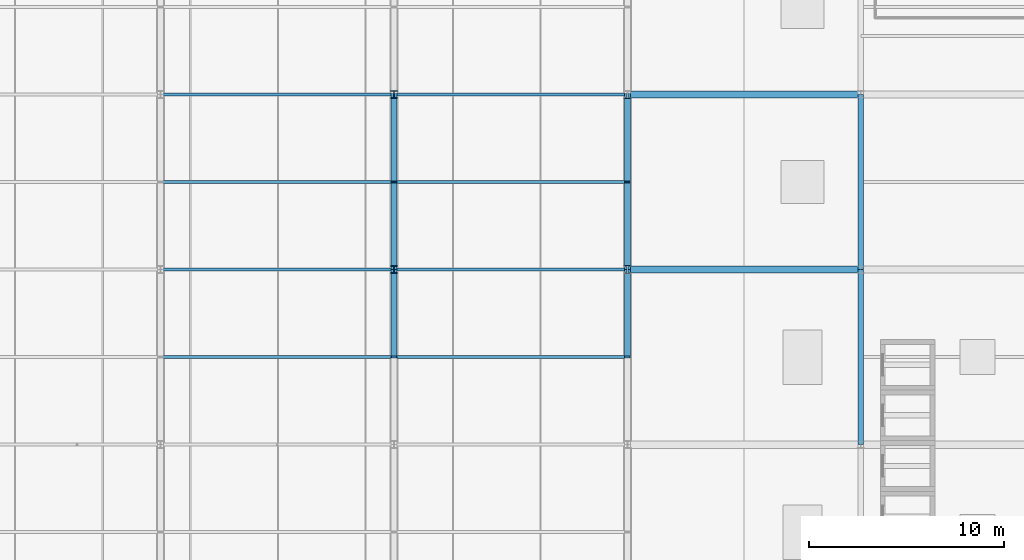
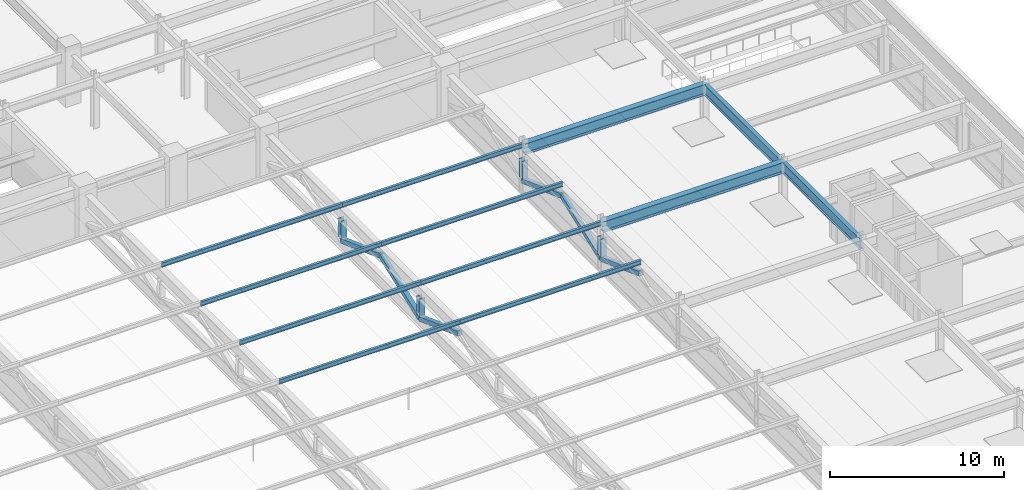
# One storey, part 41 of 108: 18 members, 4 beams.
"""IFC4 building model written with IfcOpenShell, lengths in metres."""

from ifc_helpers import new_model, si_unit, direction, frame, origin, origin_2d, place, context, subcontext, project, spatial, hollow_rectangle, i_section, extrude, material, material_profile, profile_set, type_object, element, save


model = new_model("IFC4")

# Units and contexts
model_context = context("Model", 3, precision=1e-05, world=origin(), true_north=direction((0.0, 1.0)))
body_context = subcontext(model_context, "Body", "Model", "MODEL_VIEW")
ifc_project = project(units=[si_unit("LENGTHUNIT", "METRE"), si_unit("AREAUNIT", "SQUARE_METRE"), si_unit("VOLUMEUNIT", "CUBIC_METRE"), si_unit("PLANEANGLEUNIT", "RADIAN"), si_unit("MASSUNIT", "GRAM", prefix="KILO")], contexts=[model_context])

# Site, building, storey
site_placement = place(None, origin())
site = spatial("IfcSite", under=ifc_project, at=site_placement, CompositionType="ELEMENT")
building_placement = place(site_placement, origin())
building = spatial("IfcBuilding", under=site, at=building_placement, Name="Kaldorvane Square Convention Centre", CompositionType="ELEMENT")
storey_placement = place(building_placement, frame((0.0, 0.0, 23.399993896484375)))
storey = spatial("IfcBuildingStorey", under=building, at=storey_placement, Name="L04", CompositionType="ELEMENT", Elevation=23.399993896484375)

# Beams
ifc_material_1 = material(Name="Steel ASTM A992 Gr. 50", Category="steel")
ifc_material_profile_1 = material_profile(ifc_material_1, i_section(OverallWidth=0.2666015625, OverallDepth=0.762298583984375, WebThickness=0.014404296875, FlangeThickness=0.0216064453125, FilletRadius=0.0164947509765625, at=origin_2d()), Name="W30X116")
ifc_profile_set_1 = profile_set([ifc_material_profile_1], Name="Steel ASTM A992 Gr. 50")
beam_type_1 = type_object("IfcBeamType", Name="BM-GR-W30X116", PredefinedType="BEAM", material=ifc_profile_set_1)
for number, where, z_axis, x_axis, name in (
    (1, (126.0, 45.0, 3.144805908203125), (0.0, 1.0, 0.0), (-1.0, 0.0, 0.0), "Transverse Girder (L04)"),
    (2, (126.0, 54.0, 3.144805908203125), (0.0, 1.0, 0.0), (-1.0, 0.0, 0.0), "Transverse Girder (L04)"),
):
    element("IfcBeam", number, at=place(storey_placement, frame(where, z_axis=z_axis, x_axis=x_axis)), inside=storey, type_object=beam_type_1, Name=name, PredefinedType="BEAM", context=body_context, shape_type="SweptSolid", body=[
        extrude(i_section(OverallWidth=0.2666015625, OverallDepth=0.762298583984375, WebThickness=0.014404296875, FlangeThickness=0.0216064453125, FilletRadius=0.0164947509765625, at=origin_2d()), origin(), (0.0, 0.0, 1.0), 9.0),
    ])
ifc_material_profile_2 = material_profile(ifc_material_1, i_section(OverallWidth=0.380706787109375, OverallDepth=0.773193359375, WebThickness=0.0166015625, FlangeThickness=0.027099609375, FilletRadius=0.0164947509765625, at=origin_2d()), Name="W30X173")
ifc_profile_set_2 = profile_set([ifc_material_profile_2], Name="Steel ASTM A992 Gr. 50")
beam_type_2 = type_object("IfcBeamType", Name="BM-GR-W30X173", PredefinedType="BEAM", material=ifc_profile_set_2)
for number, where, z_axis, x_axis, name in (
    (3, (114.0, 54.0, 3.139404296875), (1.0, 0.0, 0.0), (0.0, 1.0, 0.0), "Primary Girder (L04)"),
    (4, (114.0, 63.0, 3.139404296875), (1.0, 0.0, 0.0), (0.0, 1.0, 0.0), "Primary Girder (L04)"),
):
    element("IfcBeam", number, at=place(storey_placement, frame(where, z_axis=z_axis, x_axis=x_axis)), inside=storey, type_object=beam_type_2, Name=name, PredefinedType="BEAM", context=body_context, shape_type="SweptSolid", body=[
        extrude(i_section(OverallWidth=0.380706787109375, OverallDepth=0.773193359375, WebThickness=0.0166015625, FlangeThickness=0.027099609375, FilletRadius=0.0164947509765625, at=origin_2d()), origin(), (0.0, 0.0, 1.0), 12.0),
    ])

# Members
ifc_material_2 = material(Name="Steel ASTM A500 Gr. C", Category="steel")
ifc_material_profile_3 = material_profile(ifc_material_2, hollow_rectangle(XDim=0.3047943115234375, YDim=0.3047943115234375, WallThickness=0.0117950439453125, at=origin_2d()), Name="HSS12X12X1/2")
ifc_profile_set_3 = profile_set([ifc_material_profile_3], Name="Steel ASTM A500 Gr. C")
member_type_1 = type_object("IfcMemberType", Name="MB-BR-HSS12", PredefinedType="BRACE", material=ifc_profile_set_3)
for number, where, z_axis, x_axis, name in (
    (5, (102.0, 49.5, 2.5535125732421875), (0.0, 0.937283847769, -0.348567050524), (-1.0, 0.0, 0.0), "Hall Roof Truss RT-07 Web 4B"),
    (6, (102.0, 54.0, 0.8800048828125), (0.0, 0.937283847769, 0.348567050524), (-1.0, 0.0, 0.0), "Hall Roof Truss RT-07 Web 5A"),
    (7, (102.0, 58.5, 2.5535125732421875), (0.0, 0.937283847769, -0.348567050524), (-1.0, 0.0, 0.0), "Hall Roof Truss RT-07 Web 5B"),
    (8, (114.0, 49.5, 2.5535125732421875), (0.0, 0.937283847769, -0.348567050524), (-1.0, 0.0, 0.0), "Hall Roof Truss RT-08 Web 4B"),
    (9, (114.0, 54.0, 0.8800048828125), (0.0, 0.937283847769, 0.348567050524), (-1.0, 0.0, 0.0), "Hall Roof Truss RT-08 Web 5A"),
    (10, (114.0, 58.5, 2.5535125732421875), (0.0, 0.937283847769, -0.348567050524), (-1.0, 0.0, 0.0), "Hall Roof Truss RT-08 Web 5B"),
):
    element("IfcMember", number, at=place(storey_placement, frame(where, z_axis=z_axis, x_axis=x_axis)), inside=storey, type_object=member_type_1, Name=name, PredefinedType="BRACE", context=body_context, shape_type="SweptSolid", body=[
        extrude(hollow_rectangle(XDim=0.3047943115234375, YDim=0.3047943115234375, WallThickness=0.0117950439453125, at=origin_2d()), origin(), (0.0, 0.0, 1.0), 4.8011016845703125),
    ])
ifc_material_profile_4 = material_profile(ifc_material_1, i_section(OverallWidth=0.164794921875, OverallDepth=0.310394287109375, WebThickness=0.00579833984375, FlangeThickness=0.00970458984375, FilletRadius=0.007598876953125, at=origin_2d()), Name="W12X26")
ifc_profile_set_4 = profile_set([ifc_material_profile_4], Name="Steel ASTM A992 Gr. 50")
member_type_2 = type_object("IfcMemberType", Name="MB-PR-W12X26", PredefinedType="PURLIN", material=ifc_profile_set_4)
for number, where, z_axis, x_axis, name in (
    (11, (90.0, 49.5, 3.3628082275390625), (1.0, 0.0, 0.0), (0.0, 1.0, 0.0), "Hall Roof Steel Purlin"),
    (12, (90.0, 54.0, 3.3628082275390625), (1.0, 0.0, 0.0), (0.0, 1.0, 0.0), "Hall Roof Steel Purlin"),
    (13, (90.0, 58.5, 3.3628082275390625), (1.0, 0.0, 0.0), (0.0, 1.0, 0.0), "Hall Roof Steel Purlin"),
    (14, (90.0, 63.0, 3.3628082275390625), (1.0, 0.0, 0.0), (0.0, 1.0, 0.0), "Hall Roof Steel Purlin"),
    (15, (102.0, 49.5, 3.3628082275390625), (1.0, 0.0, 0.0), (0.0, 1.0, 0.0), "Hall Roof Steel Purlin"),
    (16, (102.0, 54.0, 3.3628082275390625), (1.0, 0.0, 0.0), (0.0, 1.0, 0.0), "Hall Roof Steel Purlin"),
    (17, (102.0, 58.5, 3.3628082275390625), (1.0, 0.0, 0.0), (0.0, 1.0, 0.0), "Hall Roof Steel Purlin"),
    (18, (102.0, 63.0, 3.3628082275390625), (1.0, 0.0, 0.0), (0.0, 1.0, 0.0), "Hall Roof Steel Purlin"),
):
    element("IfcMember", number, at=place(storey_placement, frame(where, z_axis=z_axis, x_axis=x_axis)), inside=storey, type_object=member_type_2, Name=name, PredefinedType="PURLIN", context=body_context, shape_type="SweptSolid", body=[
        extrude(i_section(OverallWidth=0.164794921875, OverallDepth=0.310394287109375, WebThickness=0.00579833984375, FlangeThickness=0.00970458984375, FilletRadius=0.007598876953125, at=origin_2d()), origin(), (0.0, 0.0, 1.0), 12.0),
    ])
ifc_material_profile_5 = material_profile(ifc_material_1, i_section(OverallWidth=0.373992919921875, OverallDepth=0.372406005859375, WebThickness=0.0164031982421875, FlangeThickness=0.0261993408203125, FilletRadius=0.0305023193359375, at=origin_2d()), Name="W14X132")
ifc_profile_set_5 = profile_set([ifc_material_profile_5], Name="Steel ASTM A992 Gr. 50")
member_type_3 = type_object("IfcMemberType", Name="MB-PS-W14X132", PredefinedType="POST", material=ifc_profile_set_5)
for number, where, z_axis, x_axis, name in (
    (19, (102.0, 54.0, 1.0500030517578125), (0.0, 0.0, 1.0), (1.0, 0.0, 0.0), "Hall Roof Truss RT-07 Post 4"),
    (20, (102.0, 63.0, 1.0500030517578125), (0.0, 0.0, 1.0), (1.0, 0.0, 0.0), "Hall Roof Truss RT-07 Post 5"),
    (21, (114.0, 54.0, 1.0500030517578125), (0.0, 0.0, 1.0), (1.0, 0.0, 0.0), "Hall Roof Truss RT-08 Post 4"),
    (22, (114.0, 63.0, 1.0500030517578125), (0.0, 0.0, 1.0), (1.0, 0.0, 0.0), "Hall Roof Truss RT-08 Post 5"),
):
    element("IfcMember", number, at=place(storey_placement, frame(where, z_axis=z_axis, x_axis=x_axis)), inside=storey, type_object=member_type_3, Name=name, PredefinedType="POST", context=body_context, shape_type="SweptSolid", body=[
        extrude(i_section(OverallWidth=0.373992919921875, OverallDepth=0.372406005859375, WebThickness=0.0164031982421875, FlangeThickness=0.0261993408203125, FilletRadius=0.0305023193359375, at=origin_2d()), origin(), (0.0, 0.0, 1.0), 1.33349609375),
    ])

save(model, "model.ifc")
